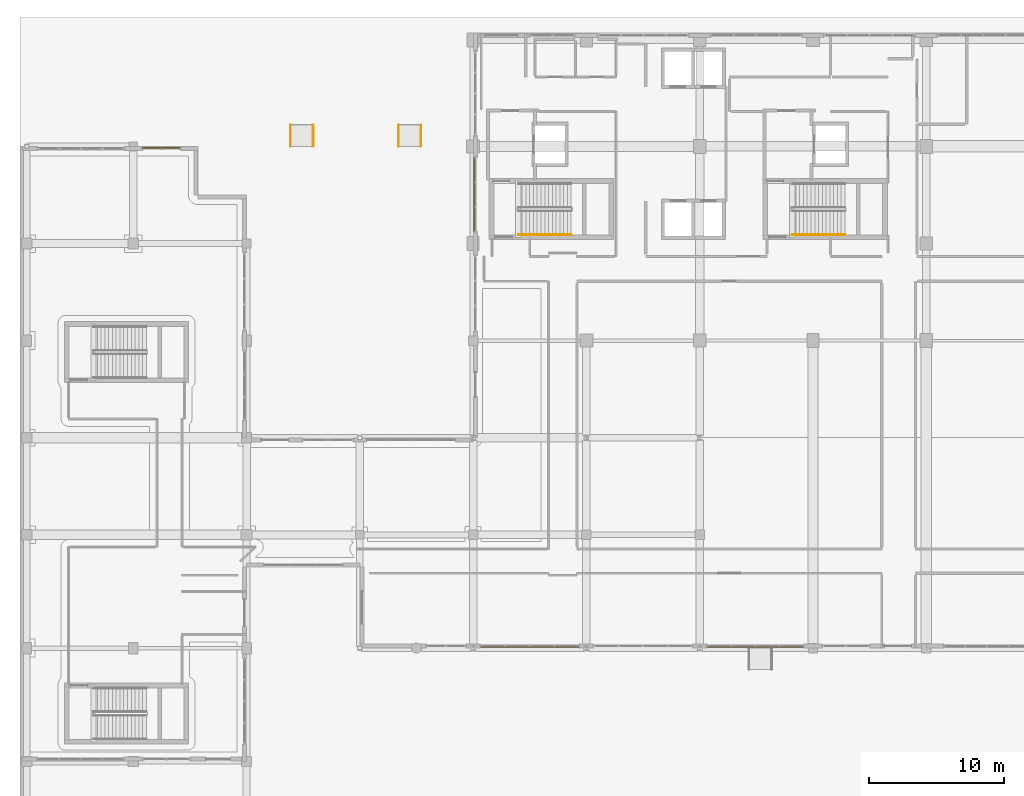
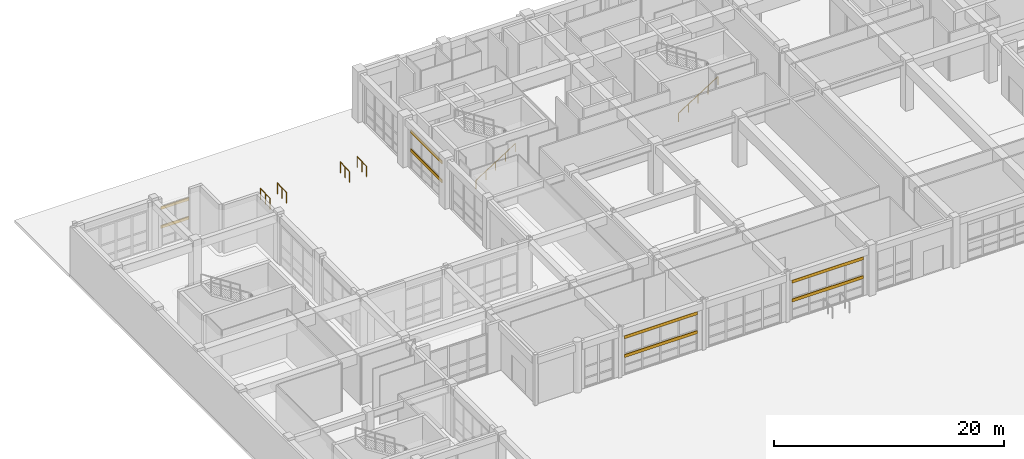
# One storey, part 143 of 148: 8 shading devices, 6 railings.
"""IFC4 building model written with IfcOpenShell, lengths in metres."""

from ifc_helpers import new_model, si_unit, direction, frame, origin, origin_2d, place, context, subcontext, project, spatial, hollow_rectangle, circle, extrude, material, material_profile, profile_set, type_object, element, save


model = new_model("IFC4")

# Units and contexts
model_context = context("Model", 3, precision=1e-05, world=origin(), true_north=direction((0.0, 1.0)))
body_context = subcontext(model_context, "Body", "Model", "MODEL_VIEW")
ifc_project = project(units=[si_unit("LENGTHUNIT", "METRE"), si_unit("AREAUNIT", "SQUARE_METRE"), si_unit("VOLUMEUNIT", "CUBIC_METRE"), si_unit("PLANEANGLEUNIT", "RADIAN"), si_unit("MASSUNIT", "GRAM", prefix="KILO")], contexts=[model_context])

# Site, building, storey
site_placement = place(None, origin())
site = spatial("IfcSite", under=ifc_project, at=site_placement, CompositionType="ELEMENT")
building_placement = place(site_placement, origin())
building = spatial("IfcBuilding", under=site, at=building_placement, Name="Quendrovan Civic Courthouse", CompositionType="ELEMENT")
storey_placement = place(building_placement, origin())
storey = spatial("IfcBuildingStorey", under=building, at=storey_placement, Name="L01", CompositionType="ELEMENT", Elevation=0.0)

# Railings
ifc_material = material(Name="Bronze anodised aluminium", Category="aluminium")
railing_type_1 = type_object("IfcRailingType", Name="RL-EXT-GUARD1100", PredefinedType="GUARDRAIL", material=ifc_material)
for number, where, name in (
    (1, (20.06005859375, 102.0, -0.06005859375), "Accessible Ramp RP2 Guardrail L"),
    (2, (21.739990234375, 102.0, -0.06005859375), "Accessible Ramp RP2 Guardrail R"),
    (3, (28.06005859375, 102.0, -0.06005859375), "Accessible Ramp RP3 Guardrail L"),
    (4, (29.739990234375, 102.0, -0.06005859375), "Accessible Ramp RP3 Guardrail R"),
):
    element("IfcRailing", number, at=place(storey_placement, frame(where)), inside=storey, type_object=railing_type_1, Name=name, PredefinedType="GUARDRAIL", context=body_context, shape_type="SweptSolid", body=[
        extrude(circle(Radius=0.02392578125, at=origin_2d()), frame((0.0, 0.0, 1.15576171875), z_axis=(0.0, 0.999296330453, 0.037507918415), x_axis=(-1.0, 0.0, 0.0)), (0.0, 0.0, 1.0), 1.601318359375),
        extrude(circle(Radius=0.02099609375, at=origin_2d()), origin(), (0.0, 0.0, 1.0), 1.1318359375),
        extrude(circle(Radius=0.02099609375, at=origin_2d()), frame((0.0, 0.800048828125, 0.030029296875)), (0.0, 0.0, 1.0), 1.1318359375),
        extrude(circle(Radius=0.02099609375, at=origin_2d()), frame((0.0, 1.60009765625, 0.06005859375)), (0.0, 0.0, 1.0), 1.1318359375),
    ])
railing_type_2 = type_object("IfcRailingType", Name="RL-STR-HAND900", PredefinedType="HANDRAIL", material=ifc_material)
railing_1_placement = place(storey_placement, frame((36.949951171875, 95.449951171875, 0.179931640625)))
element("IfcRailing", 5, at=railing_1_placement, inside=storey, type_object=railing_type_2, Name="L01 ST1 stair handrail 1", PredefinedType="HANDRAIL", context=body_context, shape_type="SweptSolid", body=[
    extrude(circle(Radius=0.02392578125, at=origin_2d()), frame((0.0, 0.0, 0.8759765625), z_axis=(0.841186985886, 0.0, 0.540744352514), x_axis=(0.0, 1.0, 0.0)), (0.0, 0.0, 1.0), 4.660400390625),
    extrude(circle(Radius=0.02099609375, at=origin_2d()), origin(), (0.0, 0.0, 1.0), 0.851806640625),
    extrude(circle(Radius=0.02099609375, at=origin_2d()), frame((0.97998046875, 0.0, 0.6298828125)), (0.0, 0.0, 1.0), 0.851806640625),
    extrude(circle(Radius=0.02099609375, at=origin_2d()), frame((1.9599609375, 0.0, 1.260009765625)), (0.0, 0.0, 1.0), 0.851806640625),
    extrude(circle(Radius=0.02099609375, at=origin_2d()), frame((2.940185546875, 0.0, 1.89013671875)), (0.0, 0.0, 1.0), 0.851806640625),
    extrude(circle(Radius=0.02099609375, at=origin_2d()), frame((3.920166015625, 0.0, 2.52001953125)), (0.0, 0.0, 1.0), 0.851806640625),
])
railing_2_placement = place(storey_placement, frame((57.25, 95.449951171875, 0.179931640625)))
element("IfcRailing", 6, at=railing_2_placement, inside=storey, type_object=railing_type_2, Name="L01 ST2 stair handrail 1", PredefinedType="HANDRAIL", context=body_context, shape_type="SweptSolid", body=[
    extrude(circle(Radius=0.02392578125, at=origin_2d()), frame((0.0, 0.0, 0.8759765625), z_axis=(0.841171666519, 0.0, 0.540768182723), x_axis=(0.0, 1.0, 0.0)), (0.0, 0.0, 1.0), 4.66015625),
    extrude(circle(Radius=0.02099609375, at=origin_2d()), origin(), (0.0, 0.0, 1.0), 0.851806640625),
    extrude(circle(Radius=0.02099609375, at=origin_2d()), frame((0.97998046875, 0.0, 0.6298828125)), (0.0, 0.0, 1.0), 0.851806640625),
    extrude(circle(Radius=0.02099609375, at=origin_2d()), frame((1.9599609375, 0.0, 1.260009765625)), (0.0, 0.0, 1.0), 0.851806640625),
    extrude(circle(Radius=0.02099609375, at=origin_2d()), frame((2.93994140625, 0.0, 1.89013671875)), (0.0, 0.0, 1.0), 0.851806640625),
    extrude(circle(Radius=0.02099609375, at=origin_2d()), frame((3.919921875, 0.0, 2.52001953125)), (0.0, 0.0, 1.0), 0.851806640625),
])

# Shading devices
ifc_material_profile = material_profile(ifc_material, hollow_rectangle(XDim=0.06494140625, YDim=0.320068359375, WallThickness=0.0048828125, at=origin_2d()), Name="AL-LOUVRE-65x320")
ifc_profile_set = profile_set([ifc_material_profile], Name="Bronze anodised aluminium")
shading_device_type = type_object("IfcShadingDeviceType", Name="SHD-STORM-LOUVRE", PredefinedType="JALOUSIE", material=ifc_profile_set)
for number, where, z_axis, x_axis, name in (
    (7, (9.074951171875, 101.9150390625, 1.949951171875), (1.0, 0.0, 0.0), (0.0, 1.0, 0.0), "L01 Bronze Hurricane Storm Louvre SLV-017"),
    (8, (9.074951171875, 101.9150390625, 3.949951171875), (1.0, 0.0, 0.0), (0.0, 1.0, 0.0), "L01 Bronze Hurricane Storm Louvre SLV-018"),
):
    element("IfcShadingDevice", number, at=place(storey_placement, frame(where, z_axis=z_axis, x_axis=x_axis)), inside=storey, type_object=shading_device_type, Name=name, PredefinedType="JALOUSIE", context=body_context, shape_type="SweptSolid", body=[
        extrude(hollow_rectangle(XDim=0.06494140625, YDim=0.320068359375, WallThickness=0.0048828125, at=origin_2d()), origin(), (0.0, 0.0, 1.0), 2.824951171875),
    ])
for number, where, z_axis, x_axis, name in (
    (9, (33.68505859375, 95.675048828125, 1.949951171875), (0.0, 1.0, 0.0), (-1.0, 0.0, 0.0), "L01 Bronze Hurricane Storm Louvre SLV-023"),
    (10, (33.68505859375, 95.675048828125, 3.949951171875), (0.0, 1.0, 0.0), (-1.0, 0.0, 0.0), "L01 Bronze Hurricane Storm Louvre SLV-024"),
):
    element("IfcShadingDevice", number, at=place(storey_placement, frame(where, z_axis=z_axis, x_axis=x_axis)), inside=storey, type_object=shading_device_type, Name=name, PredefinedType="JALOUSIE", context=body_context, shape_type="SweptSolid", body=[
        extrude(hollow_rectangle(XDim=0.06494140625, YDim=0.320068359375, WallThickness=0.0048828125, at=origin_2d()), origin(), (0.0, 0.0, 1.0), 5.5),
    ])
for number, where, z_axis, x_axis, name in (
    (11, (58.10009765625, 64.885009765625, 1.949951171875), (-1.0, 0.0, 0.0), (0.0, -1.0, 0.0), "L01 Bronze Hurricane Storm Louvre SLV-063"),
    (12, (58.10009765625, 64.885009765625, 3.949951171875), (-1.0, 0.0, 0.0), (0.0, -1.0, 0.0), "L01 Bronze Hurricane Storm Louvre SLV-064"),
):
    element("IfcShadingDevice", number, at=place(storey_placement, frame(where, z_axis=z_axis, x_axis=x_axis)), inside=storey, type_object=shading_device_type, Name=name, PredefinedType="JALOUSIE", context=body_context, shape_type="SweptSolid", body=[
        extrude(hollow_rectangle(XDim=0.06494140625, YDim=0.320068359375, WallThickness=0.0048828125, at=origin_2d()), origin(), (0.0, 0.0, 1.0), 7.1630859375),
    ])
for number, where, z_axis, x_axis, name in (
    (13, (41.462890625, 64.885009765625, 1.949951171875), (-1.0, 0.0, 0.0), (0.0, -1.0, 0.0), "L01 Bronze Hurricane Storm Louvre SLV-065"),
    (14, (41.462890625, 64.885009765625, 3.949951171875), (-1.0, 0.0, 0.0), (0.0, -1.0, 0.0), "L01 Bronze Hurricane Storm Louvre SLV-066"),
):
    element("IfcShadingDevice", number, at=place(storey_placement, frame(where, z_axis=z_axis, x_axis=x_axis)), inside=storey, type_object=shading_device_type, Name=name, PredefinedType="JALOUSIE", context=body_context, shape_type="SweptSolid", body=[
        extrude(hollow_rectangle(XDim=0.06494140625, YDim=0.320068359375, WallThickness=0.0048828125, at=origin_2d()), origin(), (0.0, 0.0, 1.0), 7.325927734375),
    ])

save(model, "model.ifc")
